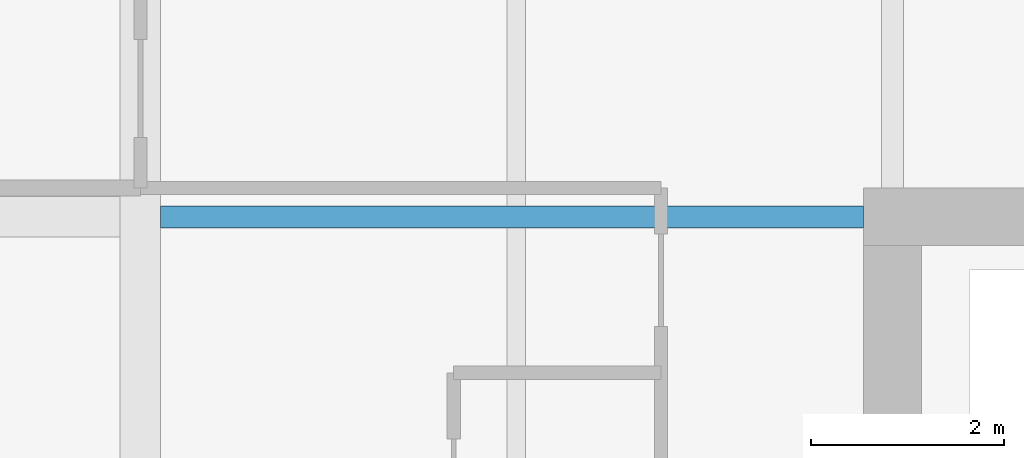
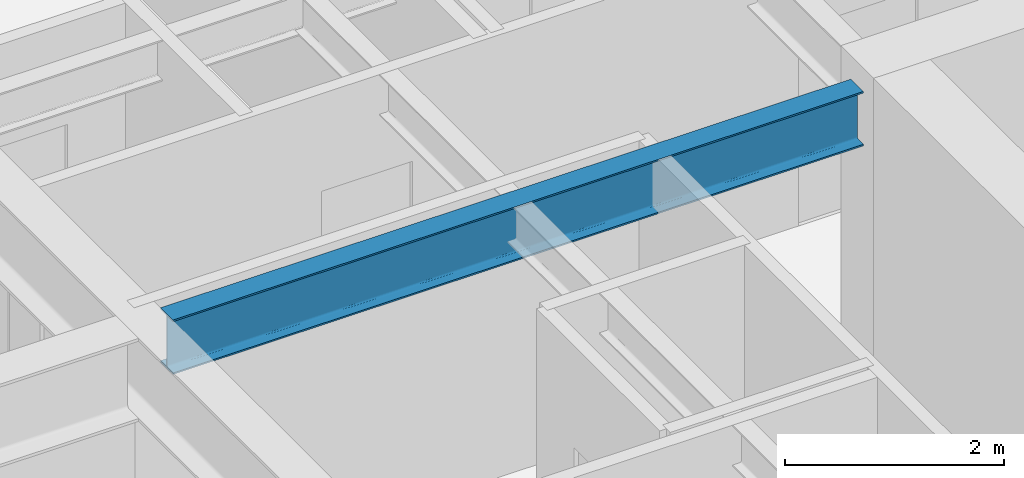
# One storey, part 18 of 39: 1 beam.
"""IFC4 building model written with IfcOpenShell, lengths in metres."""

from ifc_helpers import new_model, si_unit, direction, frame, origin, origin_2d, place, context, subcontext, project, spatial, i_section, extrude, material, material_profile, profile_set, type_object, element, save


model = new_model("IFC4")

# Units and contexts
model_context = context("Model", 3, precision=1e-05, world=origin(), true_north=direction((0.0, 1.0)))
body_context = subcontext(model_context, "Body", "Model", "MODEL_VIEW")
ifc_project = project(units=[si_unit("LENGTHUNIT", "METRE"), si_unit("AREAUNIT", "SQUARE_METRE"), si_unit("VOLUMEUNIT", "CUBIC_METRE"), si_unit("PLANEANGLEUNIT", "RADIAN"), si_unit("MASSUNIT", "GRAM", prefix="KILO")], contexts=[model_context])

# Site, building, storey
site_placement = place(None, origin())
site = spatial("IfcSite", under=ifc_project, at=site_placement, CompositionType="ELEMENT")
building_placement = place(site_placement, origin())
building = spatial("IfcBuilding", under=site, at=building_placement, Name="Drelvath Grand Hotel", CompositionType="ELEMENT")
storey_placement = place(building_placement, frame((0.0, 0.0, 40.199951171875)))
storey = spatial("IfcBuildingStorey", under=building, at=storey_placement, Name="L08", CompositionType="ELEMENT", Elevation=40.199951171875)

# Beam
ifc_material = material(Name="Steel ASTM A992 Gr 50", Category="steel")
ifc_material_profile = material_profile(ifc_material, i_section(OverallWidth=0.228271484375, OverallDepth=0.607666015625, WebThickness=0.01123046875, FlangeThickness=0.017333984375, FilletRadius=0.02001953125, at=origin_2d()), Name="W24X76")
ifc_profile_set = profile_set([ifc_material_profile], Name="Steel ASTM A992 Gr 50")
beam_type = type_object("IfcBeamType", Name="Primary Floor Girder W24X76", PredefinedType="BEAM", material=ifc_profile_set)
beam_placement = place(storey_placement, frame((-15.99072265625, 35.39990234375, 2.936279296875), z_axis=(1.0, 0.0, 0.0), x_axis=(0.0, 1.0, 0.0)))
element("IfcBeam", 1, at=beam_placement, inside=storey, type_object=beam_type, Name="L08 West Core Tie F", PredefinedType="BEAM", context=body_context, shape_type="SweptSolid", body=[
    extrude(i_section(OverallWidth=0.228271484375, OverallDepth=0.607666015625, WebThickness=0.01123046875, FlangeThickness=0.017333984375, FilletRadius=0.02001953125, at=origin_2d()), origin(), (0.0, 0.0, 1.0), 7.290771484375),
])

save(model, "model.ifc")
